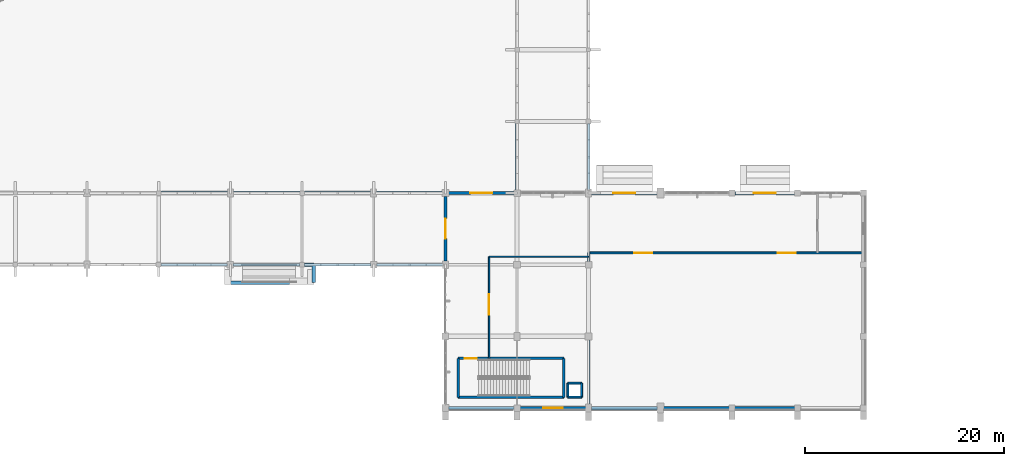
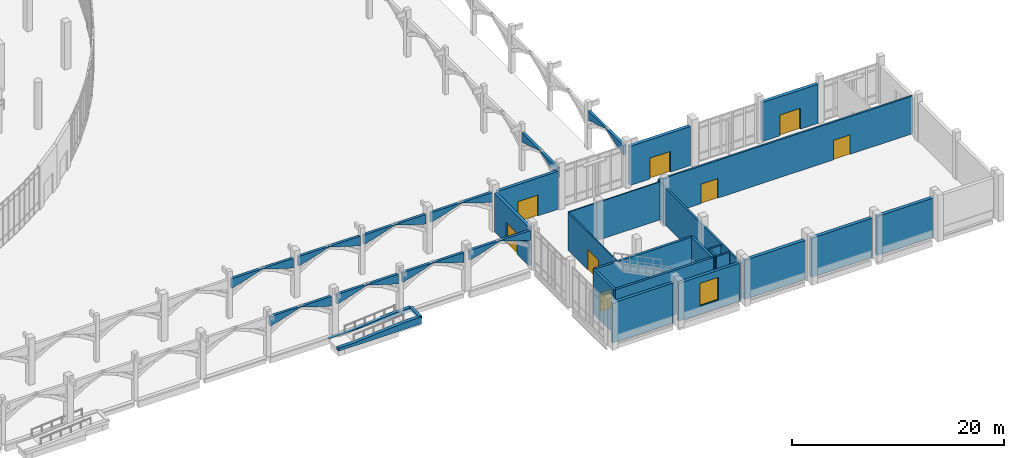
# One storey, part 90 of 110: 34 walls, 8 doors, 1 window, 9 openings.
"""IFC4 building model written with IfcOpenShell, lengths in metres."""

from ifc_helpers import new_model, si_unit, direction, frame, frame_2d, origin, place, context, subcontext, project, spatial, polyline, rectangle, outline, extrude, material, layer, layer_set, type_object, element, fill, save


model = new_model("IFC4")

# Units and contexts
model_context = context("Model", 3, precision=1e-05, world=origin(), true_north=direction((0.0, 1.0)))
body_context = subcontext(model_context, "Body", "Model", "MODEL_VIEW")
ifc_project = project(units=[si_unit("LENGTHUNIT", "METRE"), si_unit("AREAUNIT", "SQUARE_METRE"), si_unit("VOLUMEUNIT", "CUBIC_METRE"), si_unit("PLANEANGLEUNIT", "RADIAN"), si_unit("MASSUNIT", "GRAM", prefix="KILO")], contexts=[model_context])

# Site, building, storey
site_placement = place(None, origin())
site = spatial("IfcSite", under=ifc_project, at=site_placement, CompositionType="ELEMENT")
building_placement = place(site_placement, origin())
building = spatial("IfcBuilding", under=site, at=building_placement, Name="Kalluvel Institute of Natural Sciences", CompositionType="ELEMENT")
storey_placement = place(building_placement, origin())
storey = spatial("IfcBuildingStorey", under=building, at=storey_placement, Name="L00", CompositionType="ELEMENT", Elevation=0.0)

# Walls
ifc_material_1 = material(Name="Concrete M40", Category="concrete")
ifc_layer_1 = layer(ifc_material_1, 0.25)
ifc_layer_set_1 = layer_set([ifc_layer_1], Name="Concrete M40")
wall_type_1 = type_object("IfcWallType", Name="WL-CORE-250", PredefinedType="SHEAR", material=ifc_layer_set_1)
wall_1_placement = place(storey_placement, frame((101.68505859375, 15.0849609375, 0.0), z_axis=(0.0, 0.0, 1.0), x_axis=(1.0, 0.0, 0.0)))
element("IfcWall", 1, at=wall_1_placement, inside=storey, type_object=wall_type_1, Name="ST7 L00 core wall S", PredefinedType="SHEAR", context=body_context, shape_type="SweptSolid", body=[
    extrude(rectangle(XDim=10.6298828125, YDim=0.25, at=frame_2d((5.31494140625, 0.0))), origin(), (0.0, 0.0, 1.0), 5.114990234375),
])
wall_2_placement = place(storey_placement, frame((112.31494140625, 15.0849609375, 0.0), z_axis=(0.0, 0.0, 1.0), x_axis=(0.0, 1.0, 0.0)))
element("IfcWall", 2, at=wall_2_placement, inside=storey, type_object=wall_type_1, Name="ST7 L00 core wall E", PredefinedType="SHEAR", context=body_context, shape_type="SweptSolid", body=[
    extrude(rectangle(XDim=3.900146484375, YDim=0.25, at=frame_2d((1.9501953125, 0.0))), origin(), (0.0, 0.0, 1.0), 5.114990234375),
])

# Wall, opening, door
wall_3_placement = place(storey_placement, frame((112.31494140625, 18.985107421875, 0.0), z_axis=(0.0, 0.0, 1.0), x_axis=(-1.0, 0.0, 0.0)))
wall_3 = element("IfcWall", 3, at=wall_3_placement, inside=storey, type_object=wall_type_1, Name="ST7 L00 core wall N", PredefinedType="SHEAR", context=body_context, shape_type="SweptSolid", body=[
    extrude(rectangle(XDim=10.6298828125, YDim=0.25, at=frame_2d((5.31494140625, 0.0))), origin(), (0.0, 0.0, 1.0), 5.114990234375),
])
opening_1_placement = place(wall_3_placement, frame((8.780029296875, 0.0, 0.0)))
opening_1 = element("IfcOpeningElement", 4, at=opening_1_placement, cuts=wall_3, Name="Opening DS-046", PredefinedType="OPENING", context=body_context, shape_type="SweptSolid", body=[
    extrude(rectangle(XDim=1.199951171875, YDim=2.14990234375, at=frame_2d((0.60009765625, 1.074951171875))), frame((0.0, 0.135009765625, 0.0), z_axis=(0.0, -1.0, 0.0), x_axis=(1.0, 0.0, 0.0)), (0.0, 0.0, 1.0), 0.27001953125),
])
ifc_material_2 = material(Name="Galvanized Fire-Rated Steel", Category="steel")
door_type_1 = type_object("IfcDoorType", Name="DR-ST-1200", OperationType="NOTDEFINED", PredefinedType="DOOR", material=ifc_material_2)
door_1_placement = place(opening_1_placement, origin())
door_1 = element("IfcDoor", 5, at=door_1_placement, inside=storey, type_object=door_type_1, Name="ST7 L00 protected stair door DS-046", OperationType="SINGLE_SWING_LEFT", OverallHeight=2.14990234375, OverallWidth=1.199951171875, PredefinedType="DOOR", context=body_context, shape_type="SweptSolid", body=[
    extrude(rectangle(XDim=1.199951171875, YDim=2.14990234375, at=frame_2d((0.60009765625, 1.074951171875))), frame((0.0, 0.02490234375, 0.0), z_axis=(0.0, -1.0, 0.0), x_axis=(1.0, 0.0, 0.0)), (0.0, 0.0, 1.0), 0.050048828125),
])
fill(opening_1, door_1)

# Walls
wall_4_placement = place(storey_placement, frame((101.68505859375, 18.985107421875, 0.0), z_axis=(0.0, 0.0, 1.0), x_axis=(0.0, -1.0, 0.0)))
element("IfcWall", 6, at=wall_4_placement, inside=storey, type_object=wall_type_1, Name="ST7 L00 core wall W", PredefinedType="SHEAR", context=body_context, shape_type="SweptSolid", body=[
    extrude(rectangle(XDim=3.900146484375, YDim=0.25, at=frame_2d((1.9501953125, 0.0))), origin(), (0.0, 0.0, 1.0), 5.114990234375),
])
ifc_material_3 = material(Name="Sadarahalli Grey Granite Ashlar Concrete M40", Category="masonry")
ifc_layer_2 = layer(ifc_material_3, 0.280029296875)
ifc_layer_set_2 = layer_set([ifc_layer_2], Name="Sadarahalli Grey Granite Ashlar Concrete M40")
wall_type_2 = type_object("IfcWallType", Name="WL-EXT-280", PredefinedType="SOLIDWALL", material=ifc_layer_set_2)
wall_5_placement = place(storey_placement, frame((71.7900390625, 35.60009765625, 3.300048828125), z_axis=(0.0, 0.0, 1.0), x_axis=(1.0, 0.0, 0.0)))
element("IfcWall", 7, at=wall_5_placement, inside=storey, type_object=wall_type_2, Name="Gothic cloister pointed-lancet arch spandrel 11", PredefinedType="SOLIDWALL", context=body_context, shape_type="SweptSolid", body=[
    extrude(outline(polyline([(0.0, 0.0), (1.753662109375, 0.52001953125), (3.37255859375, 1.06005859375), (4.9912109375, 0.52001953125), (6.7451171875, 0.0), (6.7451171875, 1.119873046875), (0.0, 1.119873046875), (0.0, 0.0)])), frame((0.0, 0.14013671875, 0.0), z_axis=(0.0, -1.0, 0.0), x_axis=(1.0, 0.0, 0.0)), (0.0, 0.0, 1.0), 0.280029296875),
])
wall_6_placement = place(storey_placement, frame((71.81494140625, 28.39990234375, 3.300048828125), z_axis=(0.0, 0.0, 1.0), x_axis=(1.0, 0.0, 0.0)))
element("IfcWall", 8, at=wall_6_placement, inside=storey, type_object=wall_type_2, Name="Gothic cloister pointed-lancet arch spandrel 12", PredefinedType="SOLIDWALL", context=body_context, shape_type="SweptSolid", body=[
    extrude(outline(polyline([(0.0, 0.0), (1.74072265625, 0.52001953125), (3.347412109375, 1.06005859375), (4.954345703125, 0.52001953125), (6.695068359375, 0.0), (6.695068359375, 1.119873046875), (0.0, 1.119873046875), (0.0, 0.0)])), frame((0.0, 0.14013671875, 0.0), z_axis=(0.0, -1.0, 0.0), x_axis=(1.0, 0.0, 0.0)), (0.0, 0.0, 1.0), 0.280029296875),
])
wall_7_placement = place(storey_placement, frame((79.06494140625, 35.60009765625, 3.300048828125), z_axis=(0.0, 0.0, 1.0), x_axis=(1.0, 0.0, 0.0)))
element("IfcWall", 9, at=wall_7_placement, inside=storey, type_object=wall_type_2, Name="Gothic cloister pointed-lancet arch spandrel 13", PredefinedType="SOLIDWALL", context=body_context, shape_type="SweptSolid", body=[
    extrude(outline(polyline([(0.0, 0.0), (1.753662109375, 0.52001953125), (3.37255859375, 1.06005859375), (4.9912109375, 0.52001953125), (6.7451171875, 0.0), (6.7451171875, 1.119873046875), (0.0, 1.119873046875), (0.0, 0.0)])), frame((0.0, 0.14013671875, 0.0), z_axis=(0.0, -1.0, 0.0), x_axis=(1.0, 0.0, 0.0)), (0.0, 0.0, 1.0), 0.280029296875),
])
wall_8_placement = place(storey_placement, frame((79.090087890625, 28.39990234375, 3.300048828125), z_axis=(0.0, 0.0, 1.0), x_axis=(1.0, 0.0, 0.0)))
element("IfcWall", 10, at=wall_8_placement, inside=storey, type_object=wall_type_2, Name="Gothic cloister pointed-lancet arch spandrel 14", PredefinedType="SOLIDWALL", context=body_context, shape_type="SweptSolid", body=[
    extrude(outline(polyline([(0.0, 0.0), (1.74072265625, 0.52001953125), (3.347412109375, 1.06005859375), (4.954345703125, 0.52001953125), (6.695068359375, 0.0), (6.695068359375, 1.119873046875), (0.0, 1.119873046875), (0.0, 0.0)])), frame((0.0, 0.14013671875, 0.0), z_axis=(0.0, -1.0, 0.0), x_axis=(1.0, 0.0, 0.0)), (0.0, 0.0, 1.0), 0.280029296875),
])
wall_9_placement = place(storey_placement, frame((86.18994140625, 35.60009765625, 3.300048828125), z_axis=(0.0, 0.0, 1.0), x_axis=(1.0, 0.0, 0.0)))
element("IfcWall", 11, at=wall_9_placement, inside=storey, type_object=wall_type_2, Name="Gothic cloister pointed-lancet arch spandrel 15", PredefinedType="SOLIDWALL", context=body_context, shape_type="SweptSolid", body=[
    extrude(outline(polyline([(0.0, 0.0), (1.753662109375, 0.52001953125), (3.37255859375, 1.06005859375), (4.9912109375, 0.52001953125), (6.7451171875, 0.0), (6.7451171875, 1.119873046875), (0.0, 1.119873046875), (0.0, 0.0)])), frame((0.0, 0.14013671875, 0.0), z_axis=(0.0, -1.0, 0.0), x_axis=(1.0, 0.0, 0.0)), (0.0, 0.0, 1.0), 0.280029296875),
])
wall_10_placement = place(storey_placement, frame((86.215087890625, 28.39990234375, 3.300048828125), z_axis=(0.0, 0.0, 1.0), x_axis=(1.0, 0.0, 0.0)))
element("IfcWall", 12, at=wall_10_placement, inside=storey, type_object=wall_type_2, Name="Gothic cloister pointed-lancet arch spandrel 16", PredefinedType="SOLIDWALL", context=body_context, shape_type="SweptSolid", body=[
    extrude(outline(polyline([(0.0, 0.0), (1.74072265625, 0.52001953125), (3.347412109375, 1.06005859375), (4.954345703125, 0.52001953125), (6.695068359375, 0.0), (6.695068359375, 1.119873046875), (0.0, 1.119873046875), (0.0, 0.0)])), frame((0.0, 0.14013671875, 0.0), z_axis=(0.0, -1.0, 0.0), x_axis=(1.0, 0.0, 0.0)), (0.0, 0.0, 1.0), 0.280029296875),
])
wall_11_placement = place(storey_placement, frame((93.465087890625, 35.60009765625, 3.300048828125), z_axis=(0.0, 0.0, 1.0), x_axis=(1.0, 0.0, 0.0)))
element("IfcWall", 13, at=wall_11_placement, inside=storey, type_object=wall_type_2, Name="Gothic cloister pointed-lancet arch spandrel 17", PredefinedType="SOLIDWALL", context=body_context, shape_type="SweptSolid", body=[
    extrude(outline(polyline([(0.0, 0.0), (1.72119140625, 0.52001953125), (3.31005859375, 1.06005859375), (4.898681640625, 0.52001953125), (6.6201171875, 0.0), (6.6201171875, 1.119873046875), (0.0, 1.119873046875), (0.0, 0.0)])), frame((0.0, 0.14013671875, 0.0), z_axis=(0.0, -1.0, 0.0), x_axis=(1.0, 0.0, 0.0)), (0.0, 0.0, 1.0), 0.280029296875),
])
wall_12_placement = place(storey_placement, frame((93.489990234375, 28.39990234375, 3.300048828125), z_axis=(0.0, 0.0, 1.0), x_axis=(1.0, 0.0, 0.0)))
element("IfcWall", 14, at=wall_12_placement, inside=storey, type_object=wall_type_2, Name="Gothic cloister pointed-lancet arch spandrel 18", PredefinedType="SOLIDWALL", context=body_context, shape_type="SweptSolid", body=[
    extrude(outline(polyline([(0.0, 0.0), (1.727783203125, 0.52001953125), (3.322509765625, 1.06005859375), (4.917236328125, 0.52001953125), (6.64501953125, 0.0), (6.64501953125, 1.119873046875), (0.0, 1.119873046875), (0.0, 0.0)])), frame((0.0, 0.14013671875, 0.0), z_axis=(0.0, -1.0, 0.0), x_axis=(1.0, 0.0, 0.0)), (0.0, 0.0, 1.0), 0.280029296875),
])
wall_13_placement = place(storey_placement, frame((107.60009765625, 35.889892578125, 3.300048828125), z_axis=(0.0, 0.0, 1.0), x_axis=(0.0, 1.0, 0.0)))
element("IfcWall", 15, at=wall_13_placement, inside=storey, type_object=wall_type_2, Name="Gothic cloister pointed-lancet arch spandrel 19", PredefinedType="SOLIDWALL", context=body_context, shape_type="SweptSolid", body=[
    extrude(outline(polyline([(0.0, 0.0), (1.753662109375, 0.52001953125), (3.37255859375, 1.06005859375), (4.9912109375, 0.52001953125), (6.7451171875, 0.0), (6.7451171875, 1.119873046875), (0.0, 1.119873046875), (0.0, 0.0)])), frame((0.0, 0.14013671875, 0.0), z_axis=(0.0, -1.0, 0.0), x_axis=(1.0, 0.0, 0.0)), (0.0, 0.0, 1.0), 0.280029296875),
])
wall_14_placement = place(storey_placement, frame((114.800048828125, 35.965087890625, 3.300048828125), z_axis=(0.0, 0.0, 1.0), x_axis=(0.0, 1.0, 0.0)))
element("IfcWall", 16, at=wall_14_placement, inside=storey, type_object=wall_type_2, Name="Gothic cloister pointed-lancet arch spandrel 20", PredefinedType="SOLIDWALL", context=body_context, shape_type="SweptSolid", body=[
    extrude(outline(polyline([(0.0, 0.0), (1.72119140625, 0.52001953125), (3.31005859375, 1.06005859375), (4.898681640625, 0.52001953125), (6.6201171875, 0.0), (6.6201171875, 1.119873046875), (0.0, 1.119873046875), (0.0, 0.0)])), frame((0.0, 0.14013671875, 0.0), z_axis=(0.0, -1.0, 0.0), x_axis=(1.0, 0.0, 0.0)), (0.0, 0.0, 1.0), 0.280029296875),
])
ifc_layer_3 = layer(ifc_material_3, 0.320068359375)
ifc_layer_set_3 = layer_set([ifc_layer_3], Name="Sadarahalli Grey Granite Ashlar Concrete M40")
wall_type_3 = type_object("IfcWallType", Name="WL-EXT-320", PredefinedType="SOLIDWALL", material=ifc_layer_set_3)
wall_15_placement = place(storey_placement, frame((100.72998046875, 14.0, 0.0), z_axis=(0.0, 0.0, 1.0), x_axis=(1.0, 0.0, 0.0)))
element("IfcWall", 17, at=wall_15_placement, inside=storey, type_object=wall_type_3, Name="L00 Sadarahalli granite exterior wall WL-EXT-L00-0214", PredefinedType="SOLIDWALL", context=body_context, shape_type="SweptSolid", body=[
    extrude(rectangle(XDim=6.56494140625, YDim=0.320068359375, at=frame_2d((3.282470703125, 0.0))), origin(), (0.0, 0.0, 1.0), 4.60498046875),
])

# Wall, opening, door
wall_16_placement = place(storey_placement, frame((100.72998046875, 35.60009765625, 0.0), z_axis=(0.0, 0.0, 1.0), x_axis=(1.0, 0.0, 0.0)))
wall_16 = element("IfcWall", 18, at=wall_16_placement, inside=storey, type_object=wall_type_3, Name="L00 Sadarahalli granite exterior wall WL-EXT-L00-0215", PredefinedType="SOLIDWALL", context=body_context, shape_type="SweptSolid", body=[
    extrude(rectangle(XDim=6.56494140625, YDim=0.320068359375, at=frame_2d((3.282470703125, 0.0))), origin(), (0.0, 0.0, 1.0), 4.35498046875),
])
opening_2_placement = place(wall_16_placement, frame((2.1826171875, 0.0, 0.0)))
opening_2 = element("IfcOpeningElement", 19, at=opening_2_placement, cuts=wall_16, Name="Opening E7", PredefinedType="OPENING", context=body_context, shape_type="SweptSolid", body=[
    extrude(rectangle(XDim=2.199951171875, YDim=2.39990234375, at=frame_2d((1.10009765625, 1.199951171875))), frame((0.0, 0.169921875, 0.0), z_axis=(0.0, -1.0, 0.0), x_axis=(1.0, 0.0, 0.0)), (0.0, 0.0, 1.0), 0.340087890625),
])
ifc_material_4 = material(Name="Aluminium AW-6063 T6", Category="aluminium")
door_type_2 = type_object("IfcDoorType", Name="DR-EXT-2200", OperationType="NOTDEFINED", PredefinedType="DOOR", material=ifc_material_4)
door_2_placement = place(opening_2_placement, origin())
door_2 = element("IfcDoor", 20, at=door_2_placement, inside=storey, type_object=door_type_2, Name="East Commons Cloister Entrance Door E7", OperationType="DOUBLE_DOOR_SINGLE_SWING", OverallHeight=2.39990234375, OverallWidth=2.199951171875, PredefinedType="DOOR", context=body_context, shape_type="SweptSolid", body=[
    extrude(rectangle(XDim=2.199951171875, YDim=2.39990234375, at=frame_2d((1.10009765625, 1.199951171875))), frame((0.0, 0.02490234375, 0.0), z_axis=(0.0, -1.0, 0.0), x_axis=(1.0, 0.0, 0.0)), (0.0, 0.0, 1.0), 0.050048828125),
])
fill(opening_2, door_2)

# Wall, opening, window
wall_17_placement = place(storey_placement, frame((107.905029296875, 14.0, 0.0), z_axis=(0.0, 0.0, 1.0), x_axis=(1.0, 0.0, 0.0)))
wall_17 = element("IfcWall", 21, at=wall_17_placement, inside=storey, type_object=wall_type_3, Name="L00 Sadarahalli granite exterior wall WL-EXT-L00-0216", PredefinedType="SOLIDWALL", context=body_context, shape_type="SweptSolid", body=[
    extrude(rectangle(XDim=6.614990234375, YDim=0.320068359375, at=frame_2d((3.3076171875, 0.0))), origin(), (0.0, 0.0, 1.0), 4.35498046875),
])
opening_3_placement = place(wall_17_placement, frame((2.3076171875, 0.0, 0.949951171875)))
opening_3 = element("IfcOpeningElement", 22, at=opening_3_placement, cuts=wall_17, Name="Opening W-09", PredefinedType="OPENING", context=body_context, shape_type="SweptSolid", body=[
    extrude(rectangle(XDim=2.0, YDim=2.60009765625, at=frame_2d((1.0, 1.300048828125))), frame((0.0, 0.169921875, 0.0), z_axis=(0.0, -1.0, 0.0), x_axis=(1.0, 0.0, 0.0)), (0.0, 0.0, 1.0), 0.340087890625),
])
ifc_material_5 = material(Name="Solar-Control Low-E Laminated Glass", Category="glass")
window_type = type_object("IfcWindowType", Name="WN-LAN-200x260", PartitioningType="SINGLE_PANEL", PredefinedType="WINDOW", material=ifc_material_5)
window_placement = place(opening_3_placement, origin())
window = element("IfcWindow", 23, at=window_placement, inside=storey, type_object=window_type, Name="L00 Gothic lancet window 35", OverallHeight=2.60009765625, OverallWidth=2.0, PartitioningType="SINGLE_PANEL", PredefinedType="WINDOW", context=body_context, shape_type="SweptSolid", body=[
    extrude(rectangle(XDim=2.0, YDim=2.60009765625, at=frame_2d((1.0, 1.300048828125))), frame((0.0, 0.030029296875, 0.0), z_axis=(0.0, -1.0, 0.0), x_axis=(1.0, 0.0, 0.0)), (0.0, 0.0, 1.0), 0.06005859375),
])
fill(opening_3, window)

# Wall, opening, door
wall_18_placement = place(storey_placement, frame((100.39990234375, 28.780029296875, 0.0), z_axis=(0.0, 0.0, 1.0), x_axis=(0.0, 1.0, 0.0)))
wall_18 = element("IfcWall", 24, at=wall_18_placement, inside=storey, type_object=wall_type_3, Name="L00 Sadarahalli granite exterior wall WL-EXT-L00-0217", PredefinedType="SOLIDWALL", context=body_context, shape_type="SweptSolid", body=[
    extrude(rectangle(XDim=6.489990234375, YDim=0.320068359375, at=frame_2d((3.2451171875, 0.0))), origin(), (0.0, 0.0, 1.0), 4.43505859375),
])
opening_4_placement = place(wall_18_placement, frame((2.2451171875, 0.0, 0.0)))
opening_4 = element("IfcOpeningElement", 25, at=opening_4_placement, cuts=wall_18, Name="Opening E14", PredefinedType="OPENING", context=body_context, shape_type="SweptSolid", body=[
    extrude(rectangle(XDim=2.0, YDim=2.39990234375, at=frame_2d((1.0, 1.199951171875))), frame((0.0, 0.169921875, 0.0), z_axis=(0.0, -1.0, 0.0), x_axis=(1.0, 0.0, 0.0)), (0.0, 0.0, 1.0), 0.340087890625),
])
door_type_3 = type_object("IfcDoorType", Name="DR-EXT-2000", OperationType="NOTDEFINED", PredefinedType="DOOR", material=ifc_material_4)
door_3_placement = place(opening_4_placement, origin())
door_3 = element("IfcDoor", 26, at=door_3_placement, inside=storey, type_object=door_type_3, Name="South Cloister East Entrance Door E14", OperationType="DOUBLE_DOOR_SINGLE_SWING", OverallHeight=2.39990234375, OverallWidth=2.0, PredefinedType="DOOR", context=body_context, shape_type="SweptSolid", body=[
    extrude(rectangle(XDim=2.0, YDim=2.39990234375, at=frame_2d((1.0, 1.199951171875))), frame((0.0, 0.02490234375, 0.0), z_axis=(0.0, -1.0, 0.0), x_axis=(1.0, 0.0, 0.0)), (0.0, 0.0, 1.0), 0.050048828125),
])
fill(opening_4, door_3)

# Wall
ifc_layer_4 = layer(ifc_material_3, 0.360107421875)
ifc_layer_set_4 = layer_set([ifc_layer_4], Name="Sadarahalli Grey Granite Ashlar Concrete M40")
wall_type_4 = type_object("IfcWallType", Name="WL-EXT-360", PredefinedType="SOLIDWALL", material=ifc_layer_set_4)
wall_19_placement = place(storey_placement, frame((115.06005859375, 14.0, 0.0), z_axis=(0.0, 0.0, 1.0), x_axis=(1.0, 0.0, 0.0)))
element("IfcWall", 27, at=wall_19_placement, inside=storey, type_object=wall_type_4, Name="L00 Sadarahalli granite exterior wall WL-EXT-L00-0264", PredefinedType="SOLIDWALL", context=body_context, shape_type="SweptSolid", body=[
    extrude(rectangle(XDim=6.6298828125, YDim=0.360107421875, at=frame_2d((3.31494140625, 0.0))), origin(), (0.0, 0.0, 1.0), 4.5),
])

# Wall, opening, door
wall_20_placement = place(storey_placement, frame((115.080078125, 35.60009765625, 0.0), z_axis=(0.0, 0.0, 1.0), x_axis=(1.0, 0.0, 0.0)))
wall_20 = element("IfcWall", 28, at=wall_20_placement, inside=storey, type_object=wall_type_4, Name="L00 Sadarahalli granite exterior wall WL-EXT-L00-0265", PredefinedType="SOLIDWALL", context=body_context, shape_type="SweptSolid", body=[
    extrude(rectangle(XDim=6.58984375, YDim=0.360107421875, at=frame_2d((3.294921875, 0.0))), origin(), (0.0, 0.0, 1.0), 4.5),
])
opening_5_placement = place(wall_20_placement, frame((2.195068359375, 0.0, 0.0)))
opening_5 = element("IfcOpeningElement", 29, at=opening_5_placement, cuts=wall_20, Name="Opening E10", PredefinedType="OPENING", context=body_context, shape_type="SweptSolid", body=[
    extrude(rectangle(XDim=2.199951171875, YDim=2.39990234375, at=frame_2d((1.10009765625, 1.199951171875))), frame((0.0, 0.18994140625, 0.0), z_axis=(0.0, -1.0, 0.0), x_axis=(1.0, 0.0, 0.0)), (0.0, 0.0, 1.0), 0.380126953125),
])
door_4_placement = place(opening_5_placement, origin())
door_4 = element("IfcDoor", 30, at=door_4_placement, inside=storey, type_object=door_type_2, Name="Pedestrian exit door E10", OperationType="DOUBLE_DOOR_SINGLE_SWING", OverallHeight=2.39990234375, OverallWidth=2.199951171875, PredefinedType="DOOR", context=body_context, shape_type="SweptSolid", body=[
    extrude(rectangle(XDim=2.199951171875, YDim=2.39990234375, at=frame_2d((1.10009765625, 1.199951171875))), frame((0.0, 0.02490234375, 0.0), z_axis=(0.0, -1.0, 0.0), x_axis=(1.0, 0.0, 0.0)), (0.0, 0.0, 1.0), 0.050048828125),
])
fill(opening_5, door_4)

# Walls
wall_21_placement = place(storey_placement, frame((122.31005859375, 14.0, 0.0), z_axis=(0.0, 0.0, 1.0), x_axis=(1.0, 0.0, 0.0)))
element("IfcWall", 31, at=wall_21_placement, inside=storey, type_object=wall_type_4, Name="L00 Sadarahalli granite exterior wall WL-EXT-L00-0266", PredefinedType="SOLIDWALL", context=body_context, shape_type="SweptSolid", body=[
    extrude(rectangle(XDim=6.6298828125, YDim=0.360107421875, at=frame_2d((3.31494140625, 0.0))), origin(), (0.0, 0.0, 1.0), 4.5),
])
wall_22_placement = place(storey_placement, frame((129.4599609375, 14.0, 0.0), z_axis=(0.0, 0.0, 1.0), x_axis=(1.0, 0.0, 0.0)))
element("IfcWall", 32, at=wall_22_placement, inside=storey, type_object=wall_type_4, Name="L00 Sadarahalli granite exterior wall WL-EXT-L00-0267", PredefinedType="SOLIDWALL", context=body_context, shape_type="SweptSolid", body=[
    extrude(rectangle(XDim=6.080078125, YDim=0.360107421875, at=frame_2d((3.0400390625, 0.0))), origin(), (0.0, 0.0, 1.0), 4.5),
])

# Wall, opening, door
wall_23_placement = place(storey_placement, frame((129.47998046875, 35.60009765625, 0.0), z_axis=(0.0, 0.0, 1.0), x_axis=(1.0, 0.0, 0.0)))
wall_23 = element("IfcWall", 33, at=wall_23_placement, inside=storey, type_object=wall_type_4, Name="L00 Sadarahalli granite exterior wall WL-EXT-L00-0268", PredefinedType="SOLIDWALL", context=body_context, shape_type="SweptSolid", body=[
    extrude(rectangle(XDim=6.0400390625, YDim=0.360107421875, at=frame_2d((3.02001953125, 0.0))), origin(), (0.0, 0.0, 1.0), 4.5),
])
opening_6_placement = place(wall_23_placement, frame((1.919921875, 0.0, 0.0)))
opening_6 = element("IfcOpeningElement", 34, at=opening_6_placement, cuts=wall_23, Name="Opening E11", PredefinedType="OPENING", context=body_context, shape_type="SweptSolid", body=[
    extrude(rectangle(XDim=2.199951171875, YDim=2.39990234375, at=frame_2d((1.10009765625, 1.199951171875))), frame((0.0, 0.18994140625, 0.0), z_axis=(0.0, -1.0, 0.0), x_axis=(1.0, 0.0, 0.0)), (0.0, 0.0, 1.0), 0.380126953125),
])
door_5_placement = place(opening_6_placement, origin())
door_5 = element("IfcDoor", 35, at=door_5_placement, inside=storey, type_object=door_type_2, Name="Pedestrian exit door E11", OperationType="DOUBLE_DOOR_SINGLE_SWING", OverallHeight=2.39990234375, OverallWidth=2.199951171875, PredefinedType="DOOR", context=body_context, shape_type="SweptSolid", body=[
    extrude(rectangle(XDim=2.199951171875, YDim=2.39990234375, at=frame_2d((1.10009765625, 1.199951171875))), frame((0.0, 0.02490234375, 0.0), z_axis=(0.0, -1.0, 0.0), x_axis=(1.0, 0.0, 0.0)), (0.0, 0.0, 1.0), 0.050048828125),
])
fill(opening_6, door_5)

# Wall, openings, doors
ifc_material_6 = material(Name="Autoclaved Aerated Concrete Masonry Block", Category="masonry")
ifc_layer_5 = layer(ifc_material_6, 0.199951171875)
ifc_layer_set_5 = layer_set([ifc_layer_5], Name="Autoclaved Aerated Concrete Masonry Block")
wall_type_5 = type_object("IfcWallType", Name="WL-FIRE-200", PredefinedType="SOLIDWALL", material=ifc_layer_set_5)
wall_24_placement = place(storey_placement, frame((114.800048828125, 29.60009765625, 0.0), z_axis=(0.0, 0.0, 1.0), x_axis=(1.0, 0.0, 0.0)))
wall_24 = element("IfcWall", 36, at=wall_24_placement, inside=storey, type_object=wall_type_5, Name="L00 interior fire wall WL-INT-L00-0075", PredefinedType="SOLIDWALL", context=body_context, shape_type="SweptSolid", body=[
    extrude(rectangle(XDim=27.599853515625, YDim=0.199951171875, at=frame_2d((13.7998046875, 0.0))), origin(), (0.0, 0.0, 1.0), 4.340087890625),
])
opening_7_placement = place(wall_24_placement, frame((4.60009765625, 0.0, 0.0)))
opening_7 = element("IfcOpeningElement", 37, at=opening_7_placement, cuts=wall_24, Name="Opening D-089", PredefinedType="OPENING", context=body_context, shape_type="SweptSolid", body=[
    extrude(rectangle(XDim=1.800048828125, YDim=2.25, at=frame_2d((0.89990234375, 1.125))), frame((0.0, 0.10986328125, 0.0), z_axis=(0.0, -1.0, 0.0), x_axis=(1.0, 0.0, 0.0)), (0.0, 0.0, 1.0), 0.219970703125),
])
opening_8_placement = place(wall_24_placement, frame((19.0, 0.0, 0.0)))
opening_8 = element("IfcOpeningElement", 38, at=opening_8_placement, cuts=wall_24, Name="Opening D-090", PredefinedType="OPENING", context=body_context, shape_type="SweptSolid", body=[
    extrude(rectangle(XDim=1.800048828125, YDim=2.25, at=frame_2d((0.89990234375, 1.125))), frame((0.0, 0.10986328125, 0.0), z_axis=(0.0, -1.0, 0.0), x_axis=(1.0, 0.0, 0.0)), (0.0, 0.0, 1.0), 0.219970703125),
])
door_type_4 = type_object("IfcDoorType", Name="DR-FD60-1800", OperationType="NOTDEFINED", PredefinedType="DOOR", material=ifc_material_2)
door_6_placement = place(opening_7_placement, origin())
door_6 = element("IfcDoor", 39, at=door_6_placement, inside=storey, type_object=door_type_4, Name="Auditorium West Entry door D-089", OperationType="DOUBLE_DOOR_SINGLE_SWING", OverallHeight=2.25, OverallWidth=1.800048828125, PredefinedType="DOOR", context=body_context, shape_type="SweptSolid", body=[
    extrude(rectangle(XDim=1.800048828125, YDim=2.25, at=frame_2d((0.89990234375, 1.125))), frame((0.0, 0.02490234375, 0.0), z_axis=(0.0, -1.0, 0.0), x_axis=(1.0, 0.0, 0.0)), (0.0, 0.0, 1.0), 0.050048828125),
])
fill(opening_7, door_6)
door_7_placement = place(opening_8_placement, origin())
door_7 = element("IfcDoor", 40, at=door_7_placement, inside=storey, type_object=door_type_4, Name="Auditorium East Entry door D-090", OperationType="DOUBLE_DOOR_SINGLE_SWING", OverallHeight=2.25, OverallWidth=1.800048828125, PredefinedType="DOOR", context=body_context, shape_type="SweptSolid", body=[
    extrude(rectangle(XDim=1.800048828125, YDim=2.25, at=frame_2d((0.89990234375, 1.125))), frame((0.0, 0.02490234375, 0.0), z_axis=(0.0, -1.0, 0.0), x_axis=(1.0, 0.0, 0.0)), (0.0, 0.0, 1.0), 0.050048828125),
])
fill(opening_8, door_7)

# Walls
wall_25_placement = place(storey_placement, frame((114.800048828125, 14.0, 0.0), z_axis=(0.0, 0.0, 1.0), x_axis=(0.0, 1.0, 0.0)))
element("IfcWall", 41, at=wall_25_placement, inside=storey, type_object=wall_type_5, Name="L00 interior fire wall WL-INT-L00-0077", PredefinedType="SOLIDWALL", context=body_context, shape_type="SweptSolid", body=[
    extrude(rectangle(XDim=15.60009765625, YDim=0.199951171875, at=frame_2d((7.800048828125, 0.0))), origin(), (0.0, 0.0, 1.0), 4.260009765625),
])
ifc_material_7 = material(Name="Acoustic Gypsum Twin-Stud Partition", Category="gypsum")
ifc_layer_6 = layer(ifc_material_7, 0.1201171875)
ifc_layer_set_6 = layer_set([ifc_layer_6], Name="Acoustic Gypsum Twin-Stud Partition")
wall_type_6 = type_object("IfcWallType", Name="WL-PART-120", PredefinedType="PARTITIONING", material=ifc_layer_set_6)
wall_26_placement = place(storey_placement, frame((104.800048828125, 29.199951171875, 0.0), z_axis=(0.0, 0.0, 1.0), x_axis=(1.0, 0.0, 0.0)))
element("IfcWall", 42, at=wall_26_placement, inside=storey, type_object=wall_type_6, Name="L00 interior partition wall WL-INT-L00-0065", PredefinedType="PARTITIONING", context=body_context, shape_type="SweptSolid", body=[
    extrude(rectangle(XDim=10.0, YDim=0.1201171875, at=frame_2d((5.0, 0.0))), origin(), (0.0, 0.0, 1.0), 4.360107421875),
])

# Wall, opening, door
ifc_layer_7 = layer(ifc_material_7, 0.139892578125)
ifc_layer_set_7 = layer_set([ifc_layer_7], Name="Acoustic Gypsum Twin-Stud Partition")
wall_type_7 = type_object("IfcWallType", Name="WL-PART-140", PredefinedType="PARTITIONING", material=ifc_layer_set_7)
wall_27_placement = place(storey_placement, frame((104.800048828125, 19.0, 0.0), z_axis=(0.0, 0.0, 1.0), x_axis=(0.0, 1.0, 0.0)))
wall_27 = element("IfcWall", 43, at=wall_27_placement, inside=storey, type_object=wall_type_7, Name="L00 interior partition wall WL-INT-L00-0064", PredefinedType="PARTITIONING", context=body_context, shape_type="SweptSolid", body=[
    extrude(rectangle(XDim=10.199951171875, YDim=0.139892578125, at=frame_2d((5.10009765625, 0.0))), origin(), (0.0, 0.0, 1.0), 4.31005859375),
])
opening_9_placement = place(wall_27_placement, frame((4.39990234375, 0.0, 0.0)))
opening_9 = element("IfcOpeningElement", 44, at=opening_9_placement, cuts=wall_27, Name="Opening D-083", PredefinedType="OPENING", context=body_context, shape_type="SweptSolid", body=[
    extrude(rectangle(XDim=2.050048828125, YDim=2.300048828125, at=frame_2d((1.02490234375, 1.14990234375))), frame((0.0, 0.079833984375, 0.0), z_axis=(0.0, -1.0, 0.0), x_axis=(1.0, 0.0, 0.0)), (0.0, 0.0, 1.0), 0.159912109375),
])
door_type_5 = type_object("IfcDoorType", Name="DR-DBL-2050", OperationType="NOTDEFINED", PredefinedType="DOOR", material=ifc_material_4)
door_8_placement = place(opening_9_placement, origin())
door_8 = element("IfcDoor", 45, at=door_8_placement, inside=storey, type_object=door_type_5, Name="Campus Dining Hall door D-083", OperationType="DOUBLE_DOOR_SINGLE_SWING", OverallHeight=2.300048828125, OverallWidth=2.050048828125, PredefinedType="DOOR", context=body_context, shape_type="SweptSolid", body=[
    extrude(rectangle(XDim=2.050048828125, YDim=2.300048828125, at=frame_2d((1.02490234375, 1.14990234375))), frame((0.0, 0.02490234375, 0.0), z_axis=(0.0, -1.0, 0.0), x_axis=(1.0, 0.0, 0.0)), (0.0, 0.0, 1.0), 0.050048828125),
])
fill(opening_9, door_8)

# Walls
ifc_layer_8 = layer(ifc_material_1, 0.35009765625)
ifc_layer_set_8 = layer_set([ifc_layer_8], Name="Concrete M40")
wall_type_8 = type_object("IfcWallType", Name="WL-RET-350", PredefinedType="USERDEFINED", material=ifc_layer_set_8)
wall_28_placement = place(storey_placement, frame((78.199951171875, 26.60009765625, -0.669921875), z_axis=(0.0, 0.0, 1.0), x_axis=(1.0, 0.0, 0.0)))
element("IfcWall", 46, at=wall_28_placement, inside=storey, type_object=wall_type_8, Name="Accessible entrance ramp granite cheek wall R3-S", ObjectType="RETAINING WALL", PredefinedType="USERDEFINED", context=body_context, shape_type="SweptSolid", body=[
    extrude(outline(polyline([(0.0, 0.0), (9.0, 0.0), (9.0, 0.7900390625), (7.199951171875, 0.7900390625), (1.800048828125, 0.349853515625), (0.0, 0.349853515625), (0.0, 0.0)])), frame((0.0, 0.175048828125, 0.0), z_axis=(0.0, -1.0, 0.0), x_axis=(1.0, 0.0, 0.0)), (0.0, 0.0, 1.0), 0.35009765625),
])
wall_29_placement = place(storey_placement, frame((78.199951171875, 28.39990234375, -0.340087890625), z_axis=(0.0, 0.0, 1.0), x_axis=(1.0, 0.0, 0.0)))
element("IfcWall", 47, at=wall_29_placement, inside=storey, type_object=wall_type_8, Name="Accessible entrance ramp granite cheek wall R3-N", ObjectType="RETAINING WALL", PredefinedType="USERDEFINED", context=body_context, shape_type="SweptSolid", body=[
    extrude(outline(polyline([(0.0, 0.0), (9.0, 0.0), (9.0, 0.460205078125), (7.199951171875, 0.460205078125), (1.800048828125, 0.02001953125), (0.0, 0.02001953125), (0.0, 0.0)])), frame((0.0, 0.175048828125, 0.0), z_axis=(0.0, -1.0, 0.0), x_axis=(1.0, 0.0, 0.0)), (0.0, 0.0, 1.0), 0.35009765625),
])
wall_30_placement = place(storey_placement, frame((87.199951171875, 26.60009765625, -0.219970703125), z_axis=(0.0, 0.0, 1.0), x_axis=(0.0, 1.0, 0.0)))
element("IfcWall", 48, at=wall_30_placement, inside=storey, type_object=wall_type_8, Name="Accessible entrance ramp granite cheek wall R3-E", ObjectType="RETAINING WALL", PredefinedType="USERDEFINED", context=body_context, shape_type="SweptSolid", body=[
    extrude(rectangle(XDim=1.7998046875, YDim=0.35009765625, at=frame_2d((0.89990234375, 0.0))), origin(), (0.0, 0.0, 1.0), 0.340087890625),
])
ifc_layer_9 = layer(ifc_material_1, 0.199951171875)
ifc_layer_set_9 = layer_set([ifc_layer_9], Name="Concrete M40")
wall_type_9 = type_object("IfcWallType", Name="WL-RISER-200", PredefinedType="SHEAR", material=ifc_layer_set_9)
wall_31_placement = place(storey_placement, frame((112.699951171875, 15.10009765625, 0.0), z_axis=(0.0, 0.0, 1.0), x_axis=(1.0, 0.0, 0.0)))
element("IfcWall", 49, at=wall_31_placement, inside=storey, type_object=wall_type_9, Name="RS-ECOM L00 service riser enclosure S", PredefinedType="SHEAR", context=body_context, shape_type="SweptSolid", body=[
    extrude(rectangle(XDim=1.400146484375, YDim=0.199951171875, at=frame_2d((0.7001953125, 0.0))), origin(), (0.0, 0.0, 1.0), 5.0400390625),
])
wall_32_placement = place(storey_placement, frame((114.10009765625, 15.10009765625, 0.0), z_axis=(0.0, 0.0, 1.0), x_axis=(0.0, 1.0, 0.0)))
element("IfcWall", 50, at=wall_32_placement, inside=storey, type_object=wall_type_9, Name="RS-ECOM L00 service riser enclosure E", PredefinedType="SHEAR", context=body_context, shape_type="SweptSolid", body=[
    extrude(rectangle(XDim=1.39990234375, YDim=0.199951171875, at=frame_2d((0.699951171875, 0.0))), origin(), (0.0, 0.0, 1.0), 5.0400390625),
])
wall_33_placement = place(storey_placement, frame((114.10009765625, 16.5, 0.0), z_axis=(0.0, 0.0, 1.0), x_axis=(-1.0, 0.0, 0.0)))
element("IfcWall", 51, at=wall_33_placement, inside=storey, type_object=wall_type_9, Name="RS-ECOM L00 service riser enclosure N", PredefinedType="SHEAR", context=body_context, shape_type="SweptSolid", body=[
    extrude(rectangle(XDim=1.400146484375, YDim=0.199951171875, at=frame_2d((0.7001953125, 0.0))), origin(), (0.0, 0.0, 1.0), 5.0400390625),
])
wall_34_placement = place(storey_placement, frame((112.699951171875, 16.5, 0.0), z_axis=(0.0, 0.0, 1.0), x_axis=(0.0, -1.0, 0.0)))
element("IfcWall", 52, at=wall_34_placement, inside=storey, type_object=wall_type_9, Name="RS-ECOM L00 service riser enclosure W", PredefinedType="SHEAR", context=body_context, shape_type="SweptSolid", body=[
    extrude(rectangle(XDim=1.39990234375, YDim=0.199951171875, at=frame_2d((0.699951171875, 0.0))), origin(), (0.0, 0.0, 1.0), 5.0400390625),
])

save(model, "model.ifc")
